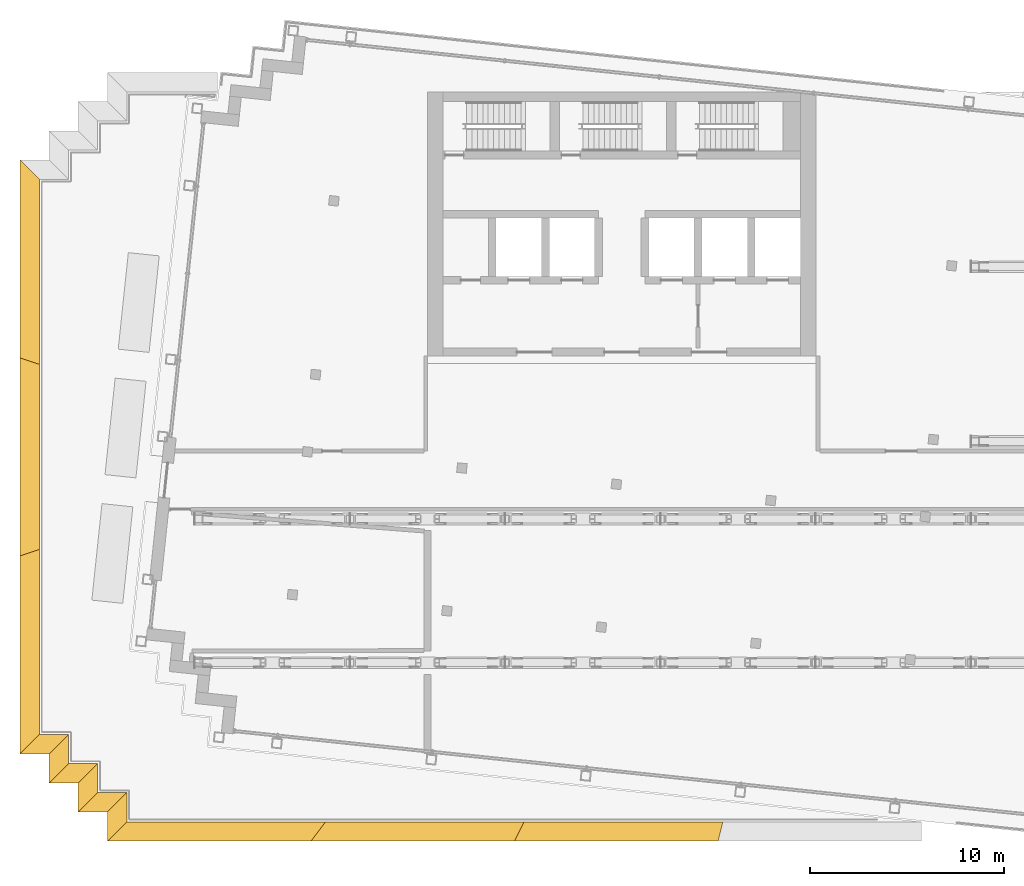
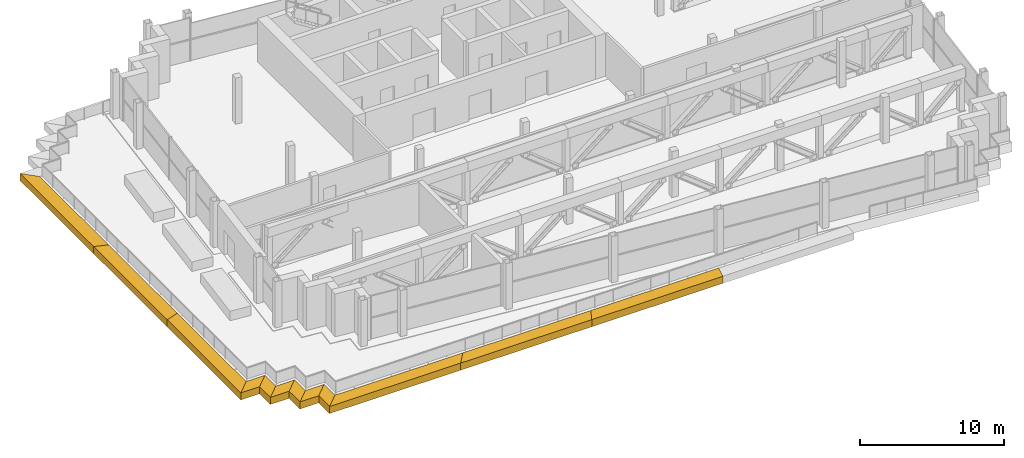
# One storey, part 14 of 18: 12 shading devices.
"""IFC4 building model written with IfcOpenShell, lengths in metres."""

import ifcopenshell
import ifcopenshell.guid

model = None  # the IFC model being written
_history = None  # IfcOwnerHistory: only IFC2X3 demands one
_inside = {}  # id of a spatial element -> (the spatial element, [elements in it])
_under = {}  # id of a project, library or spatial element -> (it, [spatial elements below it])
_declared = {}  # id of a project -> (the project, [libraries it declares])
_typed = {}  # id of a type object -> (the type object, [elements of that type])
_made_of = {}  # id of a material, layer set ... -> (it, [elements and type objects made of it])


def new_model(schema):
    """Start an empty IFC model of exactly this schema.

    Asked for "IFC4X3", IfcOpenShell would pick the latest addendum, in which some entities
    have other attributes; the version numbers below select the first issue.
    IFC2X3 requires an IfcOwnerHistory on every rooted entity: one is made here for all.
    """
    global model, _history
    if schema == "IFC4X3":
        model = ifcopenshell.file(schema_version=(4, 3, 0, 0))
    else:
        model = ifcopenshell.file(schema=schema)
    _inside.clear()
    _under.clear()
    _declared.clear()
    _typed.clear()
    _made_of.clear()
    _history = None
    if model.schema == "IFC2X3":
        org = make("IfcOrganization", Name="unknown")
        user = make(
            "IfcPersonAndOrganization",
            ThePerson=make("IfcPerson", FamilyName="unknown"),
            TheOrganization=org,
        )
        app = make(
            "IfcApplication",
            ApplicationDeveloper=org,
            Version="unknown",
            ApplicationFullName="unknown",
            ApplicationIdentifier="unknown",
        )
        _history = make(
            "IfcOwnerHistory",
            OwningUser=user,
            OwningApplication=app,
            ChangeAction="ADDED",
            CreationDate=0,
        )
    return model


def make(cls, **values):
    """One entity of the class cls with the attributes given. An attribute that is None is left unset."""
    return model.create_entity(
        cls, **{name: value for name, value in values.items() if value is not None}
    )


def rooted(cls, **values):
    """An entity with a GlobalId (a new one), such as an element, a storey or a relation."""
    return make(cls, GlobalId=ifcopenshell.guid.new(), OwnerHistory=_history, **values)


def si_unit(unit_type, name, prefix=None):
    """IfcSIUnit, for example si_unit("LENGTHUNIT", "METRE", prefix="MILLI")."""
    return make("IfcSIUnit", UnitType=unit_type, Prefix=prefix, Name=name)


def assignment(units):
    """IfcUnitAssignment: the units of a project."""
    return None if units is None else make("IfcUnitAssignment", Units=units)


def point(xyz):
    """IfcCartesianPoint."""
    return None if xyz is None else make("IfcCartesianPoint", Coordinates=xyz)


def direction(xyz):
    """IfcDirection."""
    return None if xyz is None else make("IfcDirection", DirectionRatios=xyz)


def frame(location, z_axis=None, x_axis=None):
    """IfcAxis2Placement3D, a coordinate frame: its origin and axes. An axis left out is left unset."""
    return make(
        "IfcAxis2Placement3D",
        Location=point(location),
        Axis=direction(z_axis),
        RefDirection=direction(x_axis),
    )


def origin():
    """The frame at (0, 0, 0) with its axes left unset."""
    return frame((0.0, 0.0, 0.0))


def place(relative_to, where):
    """IfcLocalPlacement: puts the frame where relative to a parent placement (None: the world)."""
    return make(
        "IfcLocalPlacement", PlacementRelTo=relative_to, RelativePlacement=where
    )


def context(
    kind, dimensions, precision=None, world=None, true_north=None, identifier=None
):
    """IfcGeometricRepresentationContext, for example the 3D "Model" context."""
    return make(
        "IfcGeometricRepresentationContext",
        ContextIdentifier=identifier,
        ContextType=kind,
        CoordinateSpaceDimension=dimensions,
        Precision=precision,
        WorldCoordinateSystem=world,
        TrueNorth=true_north,
    )


def subcontext(parent, identifier, kind, view, scale=None):
    """IfcGeometricRepresentationSubContext, for example "Body" below "Model"."""
    return make(
        "IfcGeometricRepresentationSubContext",
        ContextIdentifier=identifier,
        ContextType=kind,
        ParentContext=parent,
        TargetScale=scale,
        TargetView=view,
    )


def project(units=None, contexts=None):
    """IfcProject with its units and contexts."""
    return rooted(
        "IfcProject",
        Name="project",
        RepresentationContexts=contexts,
        UnitsInContext=assignment(units),
    )


def spatial(cls, under=None, at=None, **own):
    """A site, building, storey or space (cls), placed at a placement, below another one or the project."""
    s = rooted(cls, ObjectPlacement=at, **own)
    if under is not None:
        _under.setdefault(under.id(), (under, []))[1].append(s)
    return s


def polyline(points):
    """IfcPolyline through the points."""
    return make("IfcPolyline", Points=[point(p) for p in points])


def outline(outer, holes=None, kind="AREA"):
    """IfcArbitraryClosedProfileDef: a profile drawn as a closed curve; with holes, ...WithVoids."""
    if holes is None:
        return make("IfcArbitraryClosedProfileDef", ProfileType=kind, OuterCurve=outer)
    return make(
        "IfcArbitraryProfileDefWithVoids",
        ProfileType=kind,
        OuterCurve=outer,
        InnerCurves=holes,
    )


def extrude(swept, where, along, depth):
    """IfcExtrudedAreaSolid: the profile swept, set in the frame where, extruded along a direction by depth."""
    return make(
        "IfcExtrudedAreaSolid",
        SweptArea=swept,
        Position=where,
        ExtrudedDirection=direction(along),
        Depth=depth,
    )


def shape(context_of_items, identifier, shape_type, items):
    """IfcShapeRepresentation: the items that make up one representation, for example the "Body"."""
    return make(
        "IfcShapeRepresentation",
        ContextOfItems=context_of_items,
        RepresentationIdentifier=identifier,
        RepresentationType=shape_type,
        Items=items,
    )


def material(Name=None, Category=None):
    """IfcMaterial."""
    return make("IfcMaterial", Name=Name, Category=Category)


def layer(
    of_material, thickness, ventilated=None, Name=None, Category=None, Priority=None
):
    """IfcMaterialLayer: one layer of a wall or slab, of a material (None: an air gap)."""
    return make(
        "IfcMaterialLayer",
        Material=of_material,
        LayerThickness=thickness,
        IsVentilated=ventilated,
        Name=Name,
        Category=Category,
        Priority=Priority,
    )


def layer_set(layers, Name=None):
    """IfcMaterialLayerSet."""
    return make("IfcMaterialLayerSet", MaterialLayers=layers, LayerSetName=Name)


def made_of(thing, what):
    """Note that an element or type object is made of a material, layer set ...; save() writes the relation."""
    if what is not None:
        _made_of.setdefault(what.id(), (what, []))[1].append(thing)
    return thing


def type_object(cls, material=None, **own):
    """A type object (cls), such as IfcWallType, which elements share."""
    return made_of(rooted(cls, **own), material)


def element(
    cls,
    number,
    at=None,
    inside=None,
    cuts=None,
    type_object=None,
    material=None,
    context=None,
    identifier="Body",
    shape_type=None,
    held_by="IfcProductDefinitionShape",
    body=None,
    shapes=None,
    **own,
):
    """One element of the class cls, such as IfcWall. Its Tag is "e" and its number.

    at: its placement. inside: the storey or other place that contains it. cuts: it is an
    opening in that element (IfcRelVoidsElement). A single representation is given by context,
    identifier, shape_type and body (its items); several are given by shapes. held_by: the class
    of the entity that holds the representations. save() writes the other relations.
    """
    e = rooted(cls, Tag="e%d" % number, ObjectPlacement=at, **own)
    if body is not None:
        shapes = [shape(context, identifier, shape_type, body)]
    if shapes is not None:
        e.Representation = make(held_by, Representations=shapes)
    if inside is not None:
        _inside.setdefault(inside.id(), (inside, []))[1].append(e)
    if cuts is not None:
        rooted(
            "IfcRelVoidsElement", RelatingBuildingElement=cuts, RelatedOpeningElement=e
        )
    if type_object is not None:
        _typed.setdefault(type_object.id(), (type_object, []))[1].append(e)
    return made_of(e, material)


def aggregate(whole, parts):
    """IfcRelAggregates: a whole, such as a stair, and the parts it consists of."""
    return rooted("IfcRelAggregates", RelatingObject=whole, RelatedObjects=parts)


def save(model, path):
    """Write the relations noted so far, then the file.

    IfcRelAggregates (storeys below a building ...), IfcRelContainedInSpatialStructure (elements
    in a storey), IfcRelDefinesByType, IfcRelAssociatesMaterial and IfcRelDeclares: one each for
    every whole, place, type object, material and project.
    """
    for whole, parts in _under.values():
        aggregate(whole, parts)
    for where, things in _inside.values():
        rooted(
            "IfcRelContainedInSpatialStructure",
            RelatedElements=things,
            RelatingStructure=where,
        )
    for kind, things in _typed.values():
        rooted("IfcRelDefinesByType", RelatedObjects=things, RelatingType=kind)
    for what, things in _made_of.values():
        rooted("IfcRelAssociatesMaterial", RelatedObjects=things, RelatingMaterial=what)
    for by, libraries in _declared.values():
        rooted("IfcRelDeclares", RelatingContext=by, RelatedDefinitions=libraries)
    model.write(path)


model = new_model("IFC4")

# Units and contexts
model_context = context("Model", 3, precision=1e-05, world=origin(), true_north=direction((0.0, 1.0)))
body_context = subcontext(model_context, "Body", "Model", "MODEL_VIEW")
ifc_project = project(units=[si_unit("LENGTHUNIT", "METRE"), si_unit("AREAUNIT", "SQUARE_METRE"), si_unit("VOLUMEUNIT", "CUBIC_METRE"), si_unit("PLANEANGLEUNIT", "RADIAN"), si_unit("MASSUNIT", "GRAM", prefix="KILO")], contexts=[model_context])

# Site, building, storey
site_placement = place(None, origin())
site = spatial("IfcSite", under=ifc_project, at=site_placement, CompositionType="ELEMENT")
building_placement = place(site_placement, origin())
building = spatial("IfcBuilding", under=site, at=building_placement, Name="Vidyagriha Tower", CompositionType="ELEMENT")
storey_placement = place(building_placement, frame((0.0, 0.0, 249.199951171875)))
storey = spatial("IfcBuildingStorey", under=building, at=storey_placement, Name="L64", CompositionType="ELEMENT", Elevation=249.199951171875)

# Shading devices
ifc_material = material(Name="Precast concrete C40/50 with brick facing", Category="concrete")
ifc_layer = layer(ifc_material, 1.0)
ifc_layer_set = layer_set([ifc_layer], Name="Precast concrete C40/50 with brick facing")
shading_device_type = type_object("IfcShadingDeviceType", Name="Brick chhajja fascia 600", PredefinedType="USERDEFINED", material=ifc_layer_set)
shading_device_1_placement = place(storey_placement, frame((0.0, 0.0, -0.599853515625)))
element("IfcShadingDevice", 1, at=shading_device_1_placement, inside=storey, type_object=shading_device_type, Name="Chhajja fascia TR-B6-1 8", ObjectType="CHHAJJA", PredefinedType="USERDEFINED", context=body_context, shape_type="SweptSolid", body=[
    extrude(outline(polyline([(-30.0, 15.5), (-31.0, 16.5), (-31.0, 6.300048828125), (-30.0, 5.966796875), (-30.0, 15.5)])), origin(), (0.0, 0.0, 1.0), 0.599853515625),
])
shading_device_2_placement = place(storey_placement, frame((0.0, 0.0, -0.599853515625)))
element("IfcShadingDevice", 2, at=shading_device_2_placement, inside=storey, type_object=shading_device_type, Name="Chhajja fascia TR-B6-1 9", ObjectType="CHHAJJA", PredefinedType="USERDEFINED", context=body_context, shape_type="SweptSolid", body=[
    extrude(outline(polyline([(-30.0, 5.966796875), (-31.0, 6.300048828125), (-31.0, -3.89990234375), (-30.0, -3.566650390625), (-30.0, 5.966796875)])), origin(), (0.0, 0.0, 1.0), 0.599853515625),
])
shading_device_3_placement = place(storey_placement, frame((0.0, 0.0, -0.599853515625)))
element("IfcShadingDevice", 3, at=shading_device_3_placement, inside=storey, type_object=shading_device_type, Name="Chhajja fascia TR-B6-1 10", ObjectType="CHHAJJA", PredefinedType="USERDEFINED", context=body_context, shape_type="SweptSolid", body=[
    extrude(outline(polyline([(-30.0, -3.566650390625), (-31.0, -3.89990234375), (-31.0, -14.10009765625), (-30.0, -13.10009765625), (-30.0, -3.566650390625)])), origin(), (0.0, 0.0, 1.0), 0.599853515625),
])
shading_device_4_placement = place(storey_placement, frame((0.0, 0.0, -0.599853515625)))
element("IfcShadingDevice", 4, at=shading_device_4_placement, inside=storey, type_object=shading_device_type, Name="Chhajja fascia TR-B6-1 11", ObjectType="CHHAJJA", PredefinedType="USERDEFINED", context=body_context, shape_type="SweptSolid", body=[
    extrude(outline(polyline([(-30.0, -13.10009765625), (-31.0, -14.10009765625), (-29.5, -14.10009765625), (-28.5, -13.10009765625), (-30.0, -13.10009765625)])), origin(), (0.0, 0.0, 1.0), 0.599853515625),
])
shading_device_5_placement = place(storey_placement, frame((0.0, 0.0, -0.599853515625)))
element("IfcShadingDevice", 5, at=shading_device_5_placement, inside=storey, type_object=shading_device_type, Name="Chhajja fascia TR-B6-1 12", ObjectType="CHHAJJA", PredefinedType="USERDEFINED", context=body_context, shape_type="SweptSolid", body=[
    extrude(outline(polyline([(-28.5, -13.10009765625), (-29.5, -14.10009765625), (-29.5, -15.60009765625), (-28.5, -14.60009765625), (-28.5, -13.10009765625)])), origin(), (0.0, 0.0, 1.0), 0.599853515625),
])
shading_device_6_placement = place(storey_placement, frame((0.0, 0.0, -0.599853515625)))
element("IfcShadingDevice", 6, at=shading_device_6_placement, inside=storey, type_object=shading_device_type, Name="Chhajja fascia TR-B6-1 13", ObjectType="CHHAJJA", PredefinedType="USERDEFINED", context=body_context, shape_type="SweptSolid", body=[
    extrude(outline(polyline([(-28.5, -14.60009765625), (-29.5, -15.60009765625), (-28.0, -15.60009765625), (-27.0, -14.60009765625), (-28.5, -14.60009765625)])), origin(), (0.0, 0.0, 1.0), 0.599853515625),
])
shading_device_7_placement = place(storey_placement, frame((0.0, 0.0, -0.599853515625)))
element("IfcShadingDevice", 7, at=shading_device_7_placement, inside=storey, type_object=shading_device_type, Name="Chhajja fascia TR-B6-1 14", ObjectType="CHHAJJA", PredefinedType="USERDEFINED", context=body_context, shape_type="SweptSolid", body=[
    extrude(outline(polyline([(-27.0, -14.60009765625), (-28.0, -15.60009765625), (-28.0, -17.10009765625), (-27.0, -16.10009765625), (-27.0, -14.60009765625)])), origin(), (0.0, 0.0, 1.0), 0.599853515625),
])
shading_device_8_placement = place(storey_placement, frame((0.0, 0.0, -0.599853515625)))
element("IfcShadingDevice", 8, at=shading_device_8_placement, inside=storey, type_object=shading_device_type, Name="Chhajja fascia TR-B6-1 15", ObjectType="CHHAJJA", PredefinedType="USERDEFINED", context=body_context, shape_type="SweptSolid", body=[
    extrude(outline(polyline([(-27.0, -16.10009765625), (-28.0, -17.10009765625), (-26.5, -17.10009765625), (-25.5, -16.10009765625), (-27.0, -16.10009765625)])), origin(), (0.0, 0.0, 1.0), 0.599853515625),
])
shading_device_9_placement = place(storey_placement, frame((0.0, 0.0, -0.599853515625)))
element("IfcShadingDevice", 9, at=shading_device_9_placement, inside=storey, type_object=shading_device_type, Name="Chhajja fascia TR-B6-1 16", ObjectType="CHHAJJA", PredefinedType="USERDEFINED", context=body_context, shape_type="SweptSolid", body=[
    extrude(outline(polyline([(-25.5, -16.10009765625), (-26.5, -17.10009765625), (-26.5, -18.60009765625), (-25.5, -17.60009765625), (-25.5, -16.10009765625)])), origin(), (0.0, 0.0, 1.0), 0.599853515625),
])
shading_device_10_placement = place(storey_placement, frame((0.0, 0.0, -0.599853515625)))
element("IfcShadingDevice", 10, at=shading_device_10_placement, inside=storey, type_object=shading_device_type, Name="Chhajja fascia TR-B6-1 17", ObjectType="CHHAJJA", PredefinedType="USERDEFINED", context=body_context, shape_type="SweptSolid", body=[
    extrude(outline(polyline([(-25.5, -17.60009765625), (-26.5, -18.60009765625), (-16.013916015625, -18.60009765625), (-15.263916015625, -17.60009765625), (-25.5, -17.60009765625)])), origin(), (0.0, 0.0, 1.0), 0.599853515625),
])
shading_device_11_placement = place(storey_placement, frame((0.0, 0.0, -0.599853515625)))
element("IfcShadingDevice", 11, at=shading_device_11_placement, inside=storey, type_object=shading_device_type, Name="Chhajja fascia TR-B6-1 18", ObjectType="CHHAJJA", PredefinedType="USERDEFINED", context=body_context, shape_type="SweptSolid", body=[
    extrude(outline(polyline([(-15.263916015625, -17.60009765625), (-16.013916015625, -18.60009765625), (-5.528076171875, -18.60009765625), (-5.028076171875, -17.60009765625), (-15.263916015625, -17.60009765625)])), origin(), (0.0, 0.0, 1.0), 0.599853515625),
])
shading_device_12_placement = place(storey_placement, frame((0.0, 0.0, -0.599853515625)))
element("IfcShadingDevice", 12, at=shading_device_12_placement, inside=storey, type_object=shading_device_type, Name="Chhajja fascia TR-B6-1 19", ObjectType="CHHAJJA", PredefinedType="USERDEFINED", context=body_context, shape_type="SweptSolid", body=[
    extrude(outline(polyline([(-5.028076171875, -17.60009765625), (-5.528076171875, -18.60009765625), (4.9580078125, -18.60009765625), (5.2080078125, -17.60009765625), (-5.028076171875, -17.60009765625)])), origin(), (0.0, 0.0, 1.0), 0.599853515625),
])

save(model, "model.ifc")
